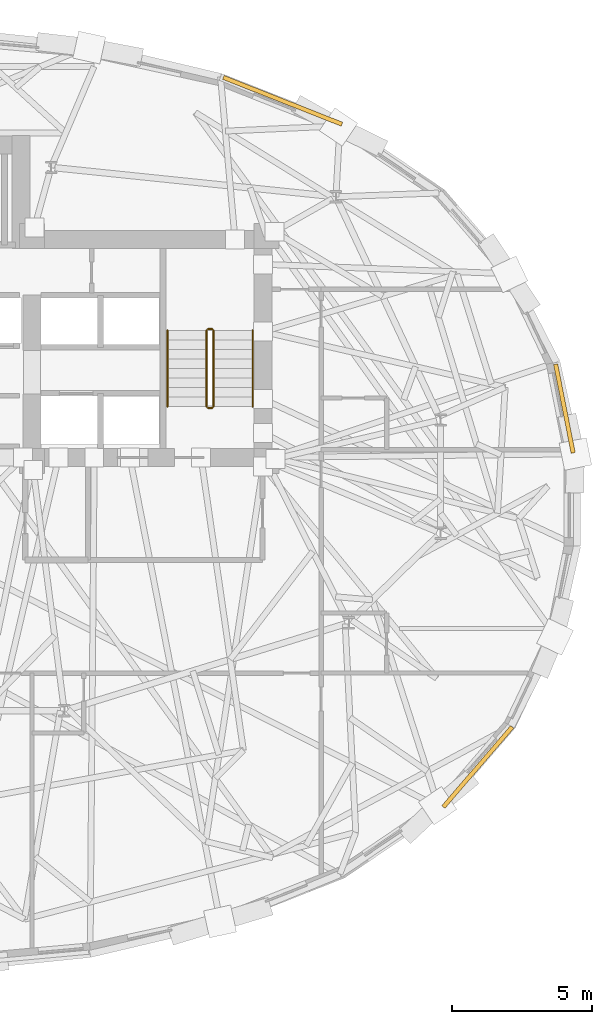
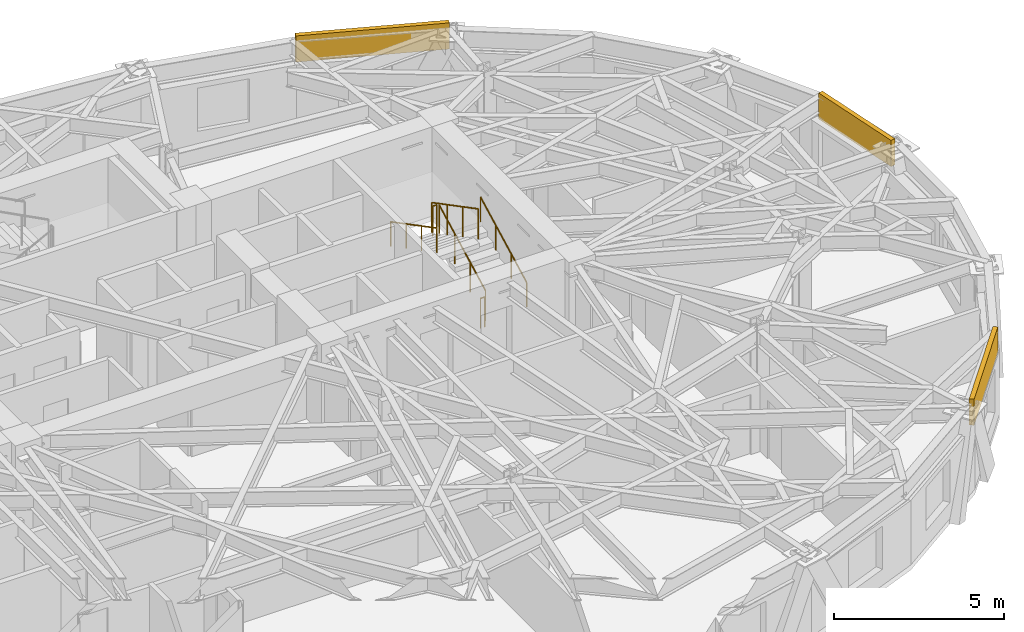
# One storey, part 13 of 14: 6 railings, 3 coverings.
"""IFC4 building model written with IfcOpenShell, lengths in metres."""

from ifc_helpers import new_model, si_unit, direction, frame, origin, origin_2d, place, context, subcontext, project, spatial, rectangle, circle, extrude, material, layer, layer_set, type_object, element, save


model = new_model("IFC4")

# Units and contexts
model_context = context("Model", 3, precision=1e-05, world=origin(), true_north=direction((0.0, 1.0)))
body_context = subcontext(model_context, "Body", "Model", "MODEL_VIEW")
ifc_project = project(units=[si_unit("LENGTHUNIT", "METRE"), si_unit("AREAUNIT", "SQUARE_METRE"), si_unit("VOLUMEUNIT", "CUBIC_METRE"), si_unit("PLANEANGLEUNIT", "RADIAN"), si_unit("MASSUNIT", "GRAM", prefix="KILO")], contexts=[model_context])

# Site, building, storey
site_placement = place(None, origin())
site = spatial("IfcSite", under=ifc_project, at=site_placement, CompositionType="ELEMENT")
building_placement = place(site_placement, origin())
building = spatial("IfcBuilding", under=site, at=building_placement, Name="Keldmark Tower", CompositionType="ELEMENT")
storey_placement = place(building_placement, frame((0.0, 0.0, 153.39990234375)))
storey = spatial("IfcBuildingStorey", under=building, at=storey_placement, Name="L41", CompositionType="ELEMENT", Elevation=153.39990234375)

# Coverings
ifc_material_1 = material(Name="Honed Kasota Buff Dolomitic Limestone", Category="masonry")
ifc_layer = layer(ifc_material_1, 0.074951171875)
ifc_layer_set = layer_set([ifc_layer], Name="Honed Kasota Buff Dolomitic Limestone")
covering_type = type_object("IfcCoveringType", Name="Kasota Buff Limestone Spandrel Cladding Band", PredefinedType="CLADDING", material=ifc_layer_set)
covering_1_placement = place(storey_placement, frame((24.265380859375, 3.275390625, 2.2392578125), z_axis=(0.0, 0.0, 1.0), x_axis=(-0.193652206548, 0.981070243611, 0.0)))
element("IfcCovering", 1, at=covering_1_placement, inside=storey, type_object=covering_type, Name="L41 Kasota Limestone Spandrel Band 01", PredefinedType="CLADDING", context=body_context, shape_type="SweptSolid", body=[
    extrude(rectangle(XDim=3.239501953125, YDim=0.14990234375, at=origin_2d()), origin(), (0.0, 0.0, 1.0), 0.94091796875),
])
covering_2_placement = place(storey_placement, frame((14.173095703125, 14.298095703125, 2.2392578125), z_axis=(0.0, 0.0, 1.0), x_axis=(-0.93012302211, 0.367248095625, 0.0)))
element("IfcCovering", 2, at=covering_2_placement, inside=storey, type_object=covering_type, Name="L41 Kasota Limestone Spandrel Band 05", PredefinedType="CLADDING", context=body_context, shape_type="SweptSolid", body=[
    extrude(rectangle(XDim=4.56640625, YDim=0.14990234375, at=origin_2d()), origin(), (0.0, 0.0, 1.0), 0.94091796875),
])
covering_3_placement = place(storey_placement, frame((21.1611328125, -9.56298828125, 2.2392578125), z_axis=(0.0, 0.0, 1.0), x_axis=(0.651754306253, 0.758430170999, 0.0)))
element("IfcCovering", 3, at=covering_3_placement, inside=storey, type_object=covering_type, Name="L41 Kasota Limestone Spandrel Band 29", PredefinedType="CLADDING", context=body_context, shape_type="SweptSolid", body=[
    extrude(rectangle(XDim=3.77587890625, YDim=0.14990234375, at=origin_2d()), origin(), (0.0, 0.0, 1.0), 0.94091796875),
])

# Railings
ifc_material_2 = material(Name="Painted Steel ASTM A500 Grade B", Category="steel")
railing_type_1 = type_object("IfcRailingType", Name="Painted Steel Stair Well Guard 1100 mm", PredefinedType="GUARDRAIL", material=ifc_material_2)
railing_1_placement = place(storey_placement, frame((11.699951171875, 3.35009765625, 0.177978515625)))
element("IfcRailing", 4, at=railing_1_placement, inside=storey, type_object=railing_type_1, Name="L41 ST2 stair guard 1", PredefinedType="GUARDRAIL", context=body_context, shape_type="SweptSolid", body=[
    extrude(circle(Radius=0.02392578125, at=origin_2d()), frame((0.0, 0.0, 1.076171875), z_axis=(0.0, 0.886183135912, 0.463335137482), x_axis=(-1.0, 0.0, 0.0)), (0.0, 0.0, 1.0), 3.0693359375),
    extrude(circle(Radius=0.02099609375, at=origin_2d()), origin(), (0.0, 0.0, 1.0), 1.052001953125),
    extrude(circle(Radius=0.02099609375, at=origin_2d()), frame((0.0, 0.90673828125, 0.47412109375)), (0.0, 0.0, 1.0), 1.052001953125),
    extrude(circle(Radius=0.02099609375, at=origin_2d()), frame((0.0, 1.813232421875, 0.947998046875)), (0.0, 0.0, 1.0), 1.052001953125),
    extrude(circle(Radius=0.02099609375, at=origin_2d()), frame((0.0, 2.719970703125, 1.422119140625)), (0.0, 0.0, 1.0), 1.052001953125),
])
railing_2_placement = place(storey_placement, frame((11.64990234375, 6.1201171875, 1.60009765625)))
element("IfcRailing", 5, at=railing_2_placement, inside=storey, type_object=railing_type_1, Name="L41 ST2 stair guard 2", PredefinedType="GUARDRAIL", context=body_context, shape_type="SweptSolid", body=[
    extrude(circle(Radius=0.02392578125, at=origin_2d()), frame((0.0, 0.0, 1.076171875), z_axis=(-1.0, 0.0, 0.0), x_axis=(0.0, -1.0, 0.0)), (0.0, 0.0, 1.0), 0.14990234375),
    extrude(circle(Radius=0.02099609375, at=origin_2d()), origin(), (0.0, 0.0, 1.0), 1.052001953125),
    extrude(circle(Radius=0.02099609375, at=origin_2d()), frame((-0.14990234375, 0.0, 0.0)), (0.0, 0.0, 1.0), 1.052001953125),
])
railing_3_placement = place(storey_placement, frame((11.449951171875, 6.070068359375, 1.77783203125)))
element("IfcRailing", 6, at=railing_3_placement, inside=storey, type_object=railing_type_1, Name="L41 ST2 stair guard 3", PredefinedType="GUARDRAIL", context=body_context, shape_type="SweptSolid", body=[
    extrude(circle(Radius=0.02392578125, at=origin_2d()), frame((0.0, 0.0, 1.076171875), z_axis=(0.0, -0.886150474775, 0.463397600399), x_axis=(1.0, 0.0, 0.0)), (0.0, 0.0, 1.0), 3.0693359375),
    extrude(circle(Radius=0.02099609375, at=origin_2d()), origin(), (0.0, 0.0, 1.0), 1.052001953125),
    extrude(circle(Radius=0.02099609375, at=origin_2d()), frame((0.0, -0.90673828125, 0.47412109375)), (0.0, 0.0, 1.0), 1.052001953125),
    extrude(circle(Radius=0.02099609375, at=origin_2d()), frame((0.0, -1.813232421875, 0.9482421875)), (0.0, 0.0, 1.0), 1.052001953125),
    extrude(circle(Radius=0.02099609375, at=origin_2d()), frame((0.0, -2.719970703125, 1.42236328125)), (0.0, 0.0, 1.0), 1.052001953125),
])
railing_4_placement = place(storey_placement, frame((11.64990234375, 3.300048828125, 0.0)))
element("IfcRailing", 7, at=railing_4_placement, inside=storey, type_object=railing_type_1, Name="L41 ST2 stair guard 4", PredefinedType="GUARDRAIL", context=body_context, shape_type="SweptSolid", body=[
    extrude(circle(Radius=0.02392578125, at=origin_2d()), frame((0.0, 0.0, 1.076171875), z_axis=(-1.0, 0.0, 0.0), x_axis=(0.0, -1.0, 0.0)), (0.0, 0.0, 1.0), 0.14990234375),
    extrude(circle(Radius=0.02099609375, at=origin_2d()), origin(), (0.0, 0.0, 1.0), 1.052001953125),
    extrude(circle(Radius=0.02099609375, at=origin_2d()), frame((-0.14990234375, 0.0, 0.0)), (0.0, 0.0, 1.0), 1.052001953125),
])
ifc_material_3 = material(Name="Stainless Steel AISI 316L", Category="steel")
railing_type_2 = type_object("IfcRailingType", Name="Stainless Steel Stair Handrail 900 mm", PredefinedType="HANDRAIL", material=ifc_material_3)
railing_5_placement = place(storey_placement, frame((13.10009765625, 3.35009765625, 0.177978515625)))
element("IfcRailing", 8, at=railing_5_placement, inside=storey, type_object=railing_type_2, Name="L41 ST2 stair handrail 1", PredefinedType="HANDRAIL", context=body_context, shape_type="SweptSolid", body=[
    extrude(circle(Radius=0.02392578125, at=origin_2d()), frame((0.0, 0.0, 0.8759765625), z_axis=(0.0, 0.886183135912, 0.463335137482), x_axis=(-1.0, 0.0, 0.0)), (0.0, 0.0, 1.0), 3.0693359375),
    extrude(circle(Radius=0.02099609375, at=origin_2d()), origin(), (0.0, 0.0, 1.0), 0.851806640625),
    extrude(circle(Radius=0.02099609375, at=origin_2d()), frame((0.0, 0.90673828125, 0.47412109375)), (0.0, 0.0, 1.0), 0.851806640625),
    extrude(circle(Radius=0.02099609375, at=origin_2d()), frame((0.0, 1.813232421875, 0.947998046875)), (0.0, 0.0, 1.0), 0.851806640625),
    extrude(circle(Radius=0.02099609375, at=origin_2d()), frame((0.0, 2.719970703125, 1.422119140625)), (0.0, 0.0, 1.0), 0.851806640625),
])
railing_6_placement = place(storey_placement, frame((10.050048828125, 6.070068359375, 1.77783203125)))
element("IfcRailing", 9, at=railing_6_placement, inside=storey, type_object=railing_type_2, Name="L41 ST2 stair handrail 2", PredefinedType="HANDRAIL", context=body_context, shape_type="SweptSolid", body=[
    extrude(circle(Radius=0.02392578125, at=origin_2d()), frame((0.0, 0.0, 0.8759765625), z_axis=(0.0, -0.886150474775, 0.463397600399), x_axis=(1.0, 0.0, 0.0)), (0.0, 0.0, 1.0), 3.0693359375),
    extrude(circle(Radius=0.02099609375, at=origin_2d()), origin(), (0.0, 0.0, 1.0), 0.851806640625),
    extrude(circle(Radius=0.02099609375, at=origin_2d()), frame((0.0, -0.90673828125, 0.47412109375)), (0.0, 0.0, 1.0), 0.851806640625),
    extrude(circle(Radius=0.02099609375, at=origin_2d()), frame((0.0, -1.813232421875, 0.9482421875)), (0.0, 0.0, 1.0), 0.851806640625),
    extrude(circle(Radius=0.02099609375, at=origin_2d()), frame((0.0, -2.719970703125, 1.42236328125)), (0.0, 0.0, 1.0), 0.851806640625),
])

save(model, "model.ifc")
